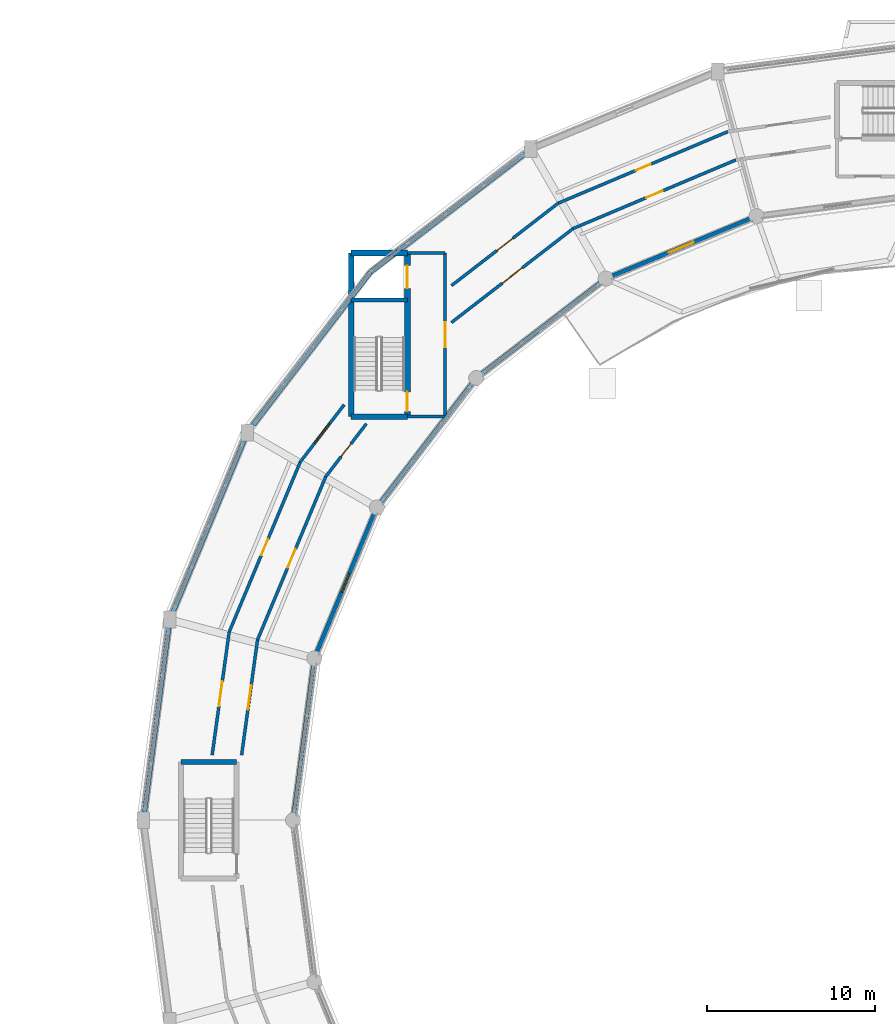
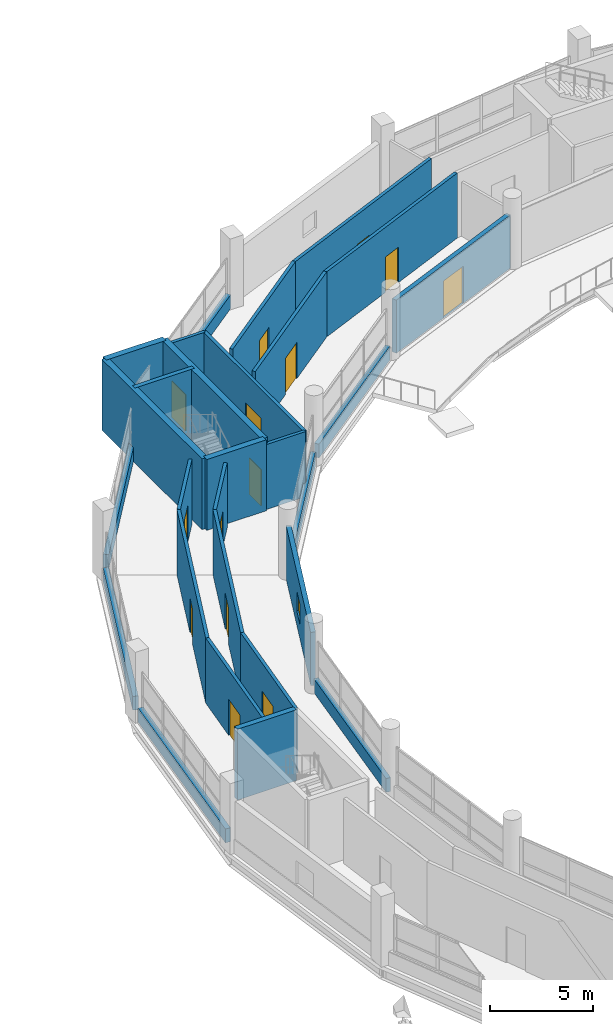
# One storey, part 111 of 128: 28 walls, 14 doors, 1 window, 15 openings.
"""IFC4 building model written with IfcOpenShell, lengths in metres."""

from ifc_helpers import new_model, si_unit, direction, frame, frame_2d, origin, place, context, subcontext, project, spatial, rectangle, extrude, material, layer, layer_set, type_object, element, fill, save


model = new_model("IFC4")

# Units and contexts
model_context = context("Model", 3, precision=1e-05, world=origin(), true_north=direction((0.0, 1.0)))
body_context = subcontext(model_context, "Body", "Model", "MODEL_VIEW")
ifc_project = project(units=[si_unit("LENGTHUNIT", "METRE"), si_unit("AREAUNIT", "SQUARE_METRE"), si_unit("VOLUMEUNIT", "CUBIC_METRE"), si_unit("PLANEANGLEUNIT", "RADIAN"), si_unit("MASSUNIT", "GRAM", prefix="KILO")], contexts=[model_context])

# Site, building, storey
site_placement = place(None, origin())
site = spatial("IfcSite", under=ifc_project, at=site_placement, CompositionType="ELEMENT")
building_placement = place(site_placement, origin())
building = spatial("IfcBuilding", under=site, at=building_placement, Name="Vespera Passage Community Centre", CompositionType="ELEMENT")
storey_placement = place(building_placement, frame((0.0, 0.0, 4.5)))
storey = spatial("IfcBuildingStorey", under=building, at=storey_placement, Name="L01", CompositionType="ELEMENT", Elevation=4.5)

# Wall
ifc_material_1 = material(Name="Concrete f'c 45 MPa", Category="concrete")
ifc_layer_1 = layer(ifc_material_1, 0.300048828125)
ifc_layer_set_1 = layer_set([ifc_layer_1], Name="Concrete f'c 45 MPa")
wall_type_1 = type_object("IfcWallType", Name="WT-CORE-300I", PredefinedType="SHEAR", material=ifc_layer_set_1)
wall_1_placement = place(storey_placement, frame((34.14990234375, 68.97509765625, 0.0), z_axis=(0.0, 0.0, 1.0), x_axis=(1.0, 0.0, 0.0)))
element("IfcWall", 1, at=wall_1_placement, inside=storey, type_object=wall_type_1, Name="Core C2 L01 Shear Wall RIGHT", PredefinedType="SHEAR", context=body_context, shape_type="SweptSolid", body=[
    extrude(rectangle(XDim=3.300048828125, YDim=0.300048828125, at=frame_2d((1.64990234375, 0.0))), origin(), (0.0, 0.0, 1.0), 4.199951171875),
])

# Wall, openings, doors
ifc_material_2 = material(Name="Concrete f'c 45 MPa", Category="concrete")
ifc_layer_2 = layer(ifc_material_2, 0.340087890625)
ifc_layer_set_2 = layer_set([ifc_layer_2], Name="Concrete f'c 45 MPa")
wall_type_2 = type_object("IfcWallType", Name="WT-CORE-340I", PredefinedType="SHEAR", material=ifc_layer_set_2)
wall_2_placement = place(storey_placement, frame((47.60302734375, 99.238037109375, 0.0), z_axis=(0.0, 0.0, 1.0), x_axis=(0.0, -1.0, 0.0)))
wall_2 = element("IfcWall", 2, at=wall_2_placement, inside=storey, type_object=wall_type_2, Name="Core C1 L01 Shear Wall FRONT", PredefinedType="SHEAR", context=body_context, shape_type="SweptSolid", body=[
    extrude(rectangle(XDim=9.72998046875, YDim=0.340087890625, at=frame_2d((4.864990234375, 0.0))), origin(), (0.0, 0.0, 1.0), 4.199951171875),
])
opening_1_placement = place(wall_2_placement, frame((8.264892578125, 0.0, 0.0)))
opening_1 = element("IfcOpeningElement", 3, at=opening_1_placement, cuts=wall_2, Name="Opening DT-STAIR-90", PredefinedType="OPENING", context=body_context, shape_type="SweptSolid", body=[
    extrude(rectangle(XDim=1.14990234375, YDim=2.14990234375, at=frame_2d((0.574951171875, 1.074951171875))), frame((0.0, 0.179931640625, 0.0), z_axis=(0.0, -1.0, 0.0), x_axis=(1.0, 0.0, 0.0)), (0.0, 0.0, 1.0), 0.360107421875),
])
opening_2_placement = place(wall_2_placement, frame((0.7451171875, 0.0, 0.0)))
opening_2 = element("IfcOpeningElement", 4, at=opening_2_placement, cuts=wall_2, Name="Opening DT-LIFT-135", PredefinedType="OPENING", context=body_context, shape_type="SweptSolid", body=[
    extrude(rectangle(XDim=1.35009765625, YDim=2.14990234375, at=frame_2d((0.675048828125, 1.074951171875))), frame((0.0, 0.179931640625, 0.0), z_axis=(0.0, -1.0, 0.0), x_axis=(1.0, 0.0, 0.0)), (0.0, 0.0, 1.0), 0.360107421875),
])
ifc_material_3 = material(Name="Painted hollow-metal acoustic door", Category="steel")
door_type_1 = type_object("IfcDoorType", Name="DT-LIFT-135", OperationType="NOTDEFINED", PredefinedType="DOOR", material=ifc_material_3)
door_1_placement = place(opening_2_placement, origin())
door_1 = element("IfcDoor", 5, at=door_1_placement, inside=storey, type_object=door_type_1, Name="Elevator EL-03 L01 Landing Door LD-003", OperationType="SLIDING_TO_LEFT", OverallHeight=2.14990234375, OverallWidth=1.35009765625, PredefinedType="DOOR", context=body_context, shape_type="SweptSolid", body=[
    extrude(rectangle(XDim=1.35009765625, YDim=2.14990234375, at=frame_2d((0.675048828125, 1.074951171875))), frame((0.0, 0.02490234375, 0.0), z_axis=(0.0, -1.0, 0.0), x_axis=(1.0, 0.0, 0.0)), (0.0, 0.0, 1.0), 0.050048828125),
])
fill(opening_2, door_1)
ifc_material_4 = material(Name="Painted hollow-metal acoustic door", Category="steel")
door_type_2 = type_object("IfcDoorType", Name="DT-STAIR-90", OperationType="NOTDEFINED", PredefinedType="DOOR", material=ifc_material_4)
door_2_placement = place(opening_1_placement, origin())
door_2 = element("IfcDoor", 6, at=door_2_placement, inside=storey, type_object=door_type_2, Name="Core C1 L01 Exit Stair Door D-052", OperationType="SINGLE_SWING_RIGHT", OverallHeight=2.14990234375, OverallWidth=1.14990234375, PredefinedType="DOOR", context=body_context, shape_type="SweptSolid", body=[
    extrude(rectangle(XDim=1.14990234375, YDim=2.14990234375, at=frame_2d((0.574951171875, 1.074951171875))), frame((0.0, 0.02490234375, 0.0), z_axis=(0.0, -1.0, 0.0), x_axis=(1.0, 0.0, 0.0)), (0.0, 0.0, 1.0), 0.050048828125),
])
fill(opening_1, door_2)

# Walls
wall_3_placement = place(storey_placement, frame((47.60302734375, 89.508056640625, 0.0), z_axis=(0.0, 0.0, 1.0), x_axis=(-1.0, 0.0, 0.0)))
element("IfcWall", 7, at=wall_3_placement, inside=storey, type_object=wall_type_2, Name="Core C1 L01 Shear Wall LEFT", PredefinedType="SHEAR", context=body_context, shape_type="SweptSolid", body=[
    extrude(rectangle(XDim=3.340087890625, YDim=0.340087890625, at=frame_2d((1.669921875, 0.0))), origin(), (0.0, 0.0, 1.0), 4.199951171875),
])
wall_4_placement = place(storey_placement, frame((44.262939453125, 89.508056640625, 0.0), z_axis=(0.0, 0.0, 1.0), x_axis=(0.0, 1.0, 0.0)))
element("IfcWall", 8, at=wall_4_placement, inside=storey, type_object=wall_type_2, Name="Core C1 L01 Shear Wall BACK", PredefinedType="SHEAR", context=body_context, shape_type="SweptSolid", body=[
    extrude(rectangle(XDim=9.72998046875, YDim=0.340087890625, at=frame_2d((4.864990234375, 0.0))), origin(), (0.0, 0.0, 1.0), 4.199951171875),
])
wall_5_placement = place(storey_placement, frame((44.262939453125, 99.238037109375, 0.0), z_axis=(0.0, 0.0, 1.0), x_axis=(1.0, 0.0, 0.0)))
element("IfcWall", 9, at=wall_5_placement, inside=storey, type_object=wall_type_2, Name="Core C1 L01 Shear Wall RIGHT", PredefinedType="SHEAR", context=body_context, shape_type="SweptSolid", body=[
    extrude(rectangle(XDim=3.340087890625, YDim=0.340087890625, at=frame_2d((1.669921875, 0.0))), origin(), (0.0, 0.0, 1.0), 4.199951171875),
])

# Wall, opening, door
ifc_material_5 = material(Name="Gypsum board acoustic stud partition")
ifc_layer_3 = layer(ifc_material_5, 0.179931640625)
ifc_layer_set_3 = layer_set([ifc_layer_3], Name="Gypsum board acoustic stud partition")
wall_type_3 = type_object("IfcWallType", Name="WT-CORR-180I", PredefinedType="PARTITIONING", material=ifc_layer_set_3)
wall_6_placement = place(storey_placement, frame((49.85302734375, 89.508056640625, 0.0), z_axis=(0.0, 0.0, 1.0), x_axis=(0.0, 1.0, 0.0)))
wall_6 = element("IfcWall", 10, at=wall_6_placement, inside=storey, type_object=wall_type_3, Name="Core C1 L01 Lift Lobby Front Wall", PredefinedType="PARTITIONING", context=body_context, shape_type="SweptSolid", body=[
    extrude(rectangle(XDim=9.72998046875, YDim=0.179931640625, at=frame_2d((4.864990234375, 0.0))), origin(), (0.0, 0.0, 1.0), 3.85498046875),
])
opening_3_placement = place(wall_6_placement, frame((4.114990234375, 0.0, 0.0)))
opening_3 = element("IfcOpeningElement", 11, at=opening_3_placement, cuts=wall_6, Name="Opening DT-CORR-150", PredefinedType="OPENING", context=body_context, shape_type="SweptSolid", body=[
    extrude(rectangle(XDim=1.5, YDim=2.14990234375, at=frame_2d((0.75, 1.074951171875))), frame((0.0, 0.099853515625, 0.0), z_axis=(0.0, -1.0, 0.0), x_axis=(1.0, 0.0, 0.0)), (0.0, 0.0, 1.0), 0.199951171875),
])
ifc_material_6 = material(Name="Painted hollow-metal acoustic door", Category="steel")
door_type_3 = type_object("IfcDoorType", Name="DT-CORR-150", OperationType="NOTDEFINED", PredefinedType="DOOR", material=ifc_material_6)
door_3_placement = place(opening_3_placement, origin())
door_3 = element("IfcDoor", 12, at=door_3_placement, inside=storey, type_object=door_type_3, Name="Core C1 L01 Lift Lobby Door D-053", OperationType="SINGLE_SWING_LEFT", OverallHeight=2.14990234375, OverallWidth=1.5, PredefinedType="DOOR", context=body_context, shape_type="SweptSolid", body=[
    extrude(rectangle(XDim=1.5, YDim=2.14990234375, at=frame_2d((0.75, 1.074951171875))), frame((0.0, 0.02490234375, 0.0), z_axis=(0.0, -1.0, 0.0), x_axis=(1.0, 0.0, 0.0)), (0.0, 0.0, 1.0), 0.050048828125),
])
fill(opening_3, door_3)

# Walls
for number, where, z_axis, x_axis, name in (
    (13, (47.60302734375, 89.508056640625, 0.0), (0.0, 0.0, 1.0), (1.0, 0.0, 0.0), "Core C1 L01 Lift Lobby Side Wall L"),
    (14, (47.60302734375, 99.238037109375, 0.0), (0.0, 0.0, 1.0), (1.0, 0.0, 0.0), "Core C1 L01 Lift Lobby Side Wall R"),
):
    element("IfcWall", number, at=place(storey_placement, frame(where, z_axis=z_axis, x_axis=x_axis)), inside=storey, type_object=wall_type_3, Name=name, PredefinedType="PARTITIONING", context=body_context, shape_type="SweptSolid", body=[
        extrude(rectangle(XDim=2.25, YDim=0.179931640625, at=frame_2d((1.125, 0.0))), origin(), (0.0, 0.0, 1.0), 3.85498046875),
    ])

# Wall, opening, door
wall_7_placement = place(storey_placement, frame((66.6748046875, 106.46337890625, 0.0), z_axis=(0.0, 0.0, 1.0), x_axis=(-0.921432324462, -0.388538893082, 0.0)))
wall_7 = element("IfcWall", 15, at=wall_7_placement, inside=storey, type_object=wall_type_3, Name="L01 Interior Partition V4-L01-CO04.1", PredefinedType="PARTITIONING", context=body_context, shape_type="SweptSolid", body=[
    extrude(rectangle(XDim=10.9609375, YDim=0.179931640625, at=frame_2d((5.48046875, 0.0))), origin(), (0.0, 0.0, 1.0), 3.85498046875),
])
opening_4_placement = place(wall_7_placement, frame((5.005615234375, 0.0, 0.0)))
opening_4 = element("IfcOpeningElement", 16, at=opening_4_placement, cuts=wall_7, Name="Opening DT-CORR-95", PredefinedType="OPENING", context=body_context, shape_type="SweptSolid", body=[
    extrude(rectangle(XDim=0.949951171875, YDim=2.10009765625, at=frame_2d((0.47509765625, 1.050048828125))), frame((0.0, 0.099853515625, 0.0), z_axis=(0.0, -1.0, 0.0), x_axis=(1.0, 0.0, 0.0)), (0.0, 0.0, 1.0), 0.199951171875),
])
ifc_material_7 = material(Name="Painted hollow-metal acoustic door", Category="steel")
door_type_4 = type_object("IfcDoorType", Name="DT-CORR-95", OperationType="NOTDEFINED", PredefinedType="DOOR", material=ifc_material_7)
door_4_placement = place(opening_4_placement, origin())
door_4 = element("IfcDoor", 17, at=door_4_placement, inside=storey, type_object=door_type_4, Name="L01 Interior Door D-168", OperationType="SINGLE_SWING_RIGHT", OverallHeight=2.10009765625, OverallWidth=0.949951171875, PredefinedType="DOOR", context=body_context, shape_type="SweptSolid", body=[
    extrude(rectangle(XDim=0.949951171875, YDim=2.10009765625, at=frame_2d((0.47509765625, 1.050048828125))), frame((0.0, 0.02490234375, 0.0), z_axis=(0.0, -1.0, 0.0), x_axis=(1.0, 0.0, 0.0)), (0.0, 0.0, 1.0), 0.050048828125),
])
fill(opening_4, door_4)

wall_8_placement = place(storey_placement, frame((67.14111328125, 104.776611328125, 0.0), z_axis=(0.0, 0.0, 1.0), x_axis=(-0.921427975161, -0.388549207426, 0.0)))
wall_8 = element("IfcWall", 18, at=wall_8_placement, inside=storey, type_object=wall_type_3, Name="L01 Interior Partition V4-L01-CI04.1", PredefinedType="PARTITIONING", context=body_context, shape_type="SweptSolid", body=[
    extrude(rectangle(XDim=10.509521484375, YDim=0.179931640625, at=frame_2d((5.2548828125, 0.0))), origin(), (0.0, 0.0, 1.0), 3.85498046875),
])
opening_5_placement = place(wall_8_placement, frame((4.72998046875, 0.0, 0.0)))
opening_5 = element("IfcOpeningElement", 19, at=opening_5_placement, cuts=wall_8, Name="Opening DT-CORR-105", PredefinedType="OPENING", context=body_context, shape_type="SweptSolid", body=[
    extrude(rectangle(XDim=1.050048828125, YDim=2.10009765625, at=frame_2d((0.52490234375, 1.050048828125))), frame((0.0, 0.099853515625, 0.0), z_axis=(0.0, -1.0, 0.0), x_axis=(1.0, 0.0, 0.0)), (0.0, 0.0, 1.0), 0.199951171875),
])
ifc_material_8 = material(Name="Painted hollow-metal acoustic door", Category="steel")
door_type_5 = type_object("IfcDoorType", Name="DT-CORR-105", OperationType="NOTDEFINED", PredefinedType="DOOR", material=ifc_material_8)
door_5_placement = place(opening_5_placement, origin())
door_5 = element("IfcDoor", 20, at=door_5_placement, inside=storey, type_object=door_type_5, Name="L01 Interior Door D-169", OperationType="SINGLE_SWING_LEFT", OverallHeight=2.10009765625, OverallWidth=1.050048828125, PredefinedType="DOOR", context=body_context, shape_type="SweptSolid", body=[
    extrude(rectangle(XDim=1.050048828125, YDim=2.10009765625, at=frame_2d((0.52490234375, 1.050048828125))), frame((0.0, 0.02490234375, 0.0), z_axis=(0.0, -1.0, 0.0), x_axis=(1.0, 0.0, 0.0)), (0.0, 0.0, 1.0), 0.050048828125),
])
fill(opening_5, door_5)

wall_9_placement = place(storey_placement, frame((56.574951171875, 102.20458984375, 0.0), z_axis=(0.0, 0.0, 1.0), x_axis=(-0.791414761664, -0.61127953918, 0.0)))
wall_9 = element("IfcWall", 21, at=wall_9_placement, inside=storey, type_object=wall_type_3, Name="L01 Interior Partition V4-L01-CO05.1", PredefinedType="PARTITIONING", context=body_context, shape_type="SweptSolid", body=[
    extrude(rectangle(XDim=8.026123046875, YDim=0.179931640625, at=frame_2d((4.01318359375, 0.0))), origin(), (0.0, 0.0, 1.0), 3.85498046875),
])
opening_6_placement = place(wall_9_placement, frame((3.4130859375, 0.0, 0.0)))
opening_6 = element("IfcOpeningElement", 22, at=opening_6_placement, cuts=wall_9, Name="Opening DT-CORR-120", PredefinedType="OPENING", context=body_context, shape_type="SweptSolid", body=[
    extrude(rectangle(XDim=1.199951171875, YDim=2.14990234375, at=frame_2d((0.60009765625, 1.074951171875))), frame((0.0, 0.099853515625, 0.0), z_axis=(0.0, -1.0, 0.0), x_axis=(1.0, 0.0, 0.0)), (0.0, 0.0, 1.0), 0.199951171875),
])
ifc_material_9 = material(Name="Painted hollow-metal acoustic door", Category="steel")
door_type_6 = type_object("IfcDoorType", Name="DT-CORR-120", OperationType="NOTDEFINED", PredefinedType="DOOR", material=ifc_material_9)
door_6_placement = place(opening_6_placement, origin())
door_6 = element("IfcDoor", 23, at=door_6_placement, inside=storey, type_object=door_type_6, Name="L01 Interior Door D-170", OperationType="SINGLE_SWING_RIGHT", OverallHeight=2.14990234375, OverallWidth=1.199951171875, PredefinedType="DOOR", context=body_context, shape_type="SweptSolid", body=[
    extrude(rectangle(XDim=1.199951171875, YDim=2.14990234375, at=frame_2d((0.60009765625, 1.074951171875))), frame((0.0, 0.02490234375, 0.0), z_axis=(0.0, -1.0, 0.0), x_axis=(1.0, 0.0, 0.0)), (0.0, 0.0, 1.0), 0.050048828125),
])
fill(opening_6, door_6)

wall_10_placement = place(storey_placement, frame((57.457275390625, 100.693115234375, 0.0), z_axis=(0.0, 0.0, 1.0), x_axis=(-0.79142007835, -0.611272655683, 0.0)))
wall_10 = element("IfcWall", 24, at=wall_10_placement, inside=storey, type_object=wall_type_3, Name="L01 Interior Partition V4-L01-CI05.1", PredefinedType="PARTITIONING", context=body_context, shape_type="SweptSolid", body=[
    extrude(rectangle(XDim=9.14111328125, YDim=0.179931640625, at=frame_2d((4.570556640625, 0.0))), origin(), (0.0, 0.0, 1.0), 3.85498046875),
])
opening_7_placement = place(wall_10_placement, frame((3.8203125, 0.0, 0.0)))
opening_7 = element("IfcOpeningElement", 25, at=opening_7_placement, cuts=wall_10, Name="Opening DT-CORR-150", PredefinedType="OPENING", context=body_context, shape_type="SweptSolid", body=[
    extrude(rectangle(XDim=1.5, YDim=2.14990234375, at=frame_2d((0.75, 1.074951171875))), frame((0.0, 0.099853515625, 0.0), z_axis=(0.0, -1.0, 0.0), x_axis=(1.0, 0.0, 0.0)), (0.0, 0.0, 1.0), 0.199951171875),
])
door_7_placement = place(opening_7_placement, origin())
door_7 = element("IfcDoor", 26, at=door_7_placement, inside=storey, type_object=door_type_3, Name="L01 Interior Door D-171", OperationType="SINGLE_SWING_LEFT", OverallHeight=2.14990234375, OverallWidth=1.5, PredefinedType="DOOR", context=body_context, shape_type="SweptSolid", body=[
    extrude(rectangle(XDim=1.5, YDim=2.14990234375, at=frame_2d((0.75, 1.074951171875))), frame((0.0, 0.02490234375, 0.0), z_axis=(0.0, -1.0, 0.0), x_axis=(1.0, 0.0, 0.0)), (0.0, 0.0, 1.0), 0.050048828125),
])
fill(opening_7, door_7)

wall_11_placement = place(storey_placement, frame((43.843017578125, 90.216796875, 0.0), z_axis=(0.0, 0.0, 1.0), x_axis=(-0.608738105254, -0.793371236693, 0.0)))
wall_11 = element("IfcWall", 27, at=wall_11_placement, inside=storey, type_object=wall_type_3, Name="L01 Interior Partition V4-L01-CO06.1", PredefinedType="PARTITIONING", context=body_context, shape_type="SweptSolid", body=[
    extrude(rectangle(XDim=4.296142578125, YDim=0.179931640625, at=frame_2d((2.14794921875, 0.0))), origin(), (0.0, 0.0, 1.0), 3.85498046875),
])
opening_8_placement = place(wall_11_placement, frame((1.423095703125, 0.0, 0.0)))
opening_8 = element("IfcOpeningElement", 28, at=opening_8_placement, cuts=wall_11, Name="Opening DT-PLANT-145", PredefinedType="OPENING", context=body_context, shape_type="SweptSolid", body=[
    extrude(rectangle(XDim=1.449951171875, YDim=2.199951171875, at=frame_2d((0.72509765625, 1.10009765625))), frame((0.0, 0.099853515625, 0.0), z_axis=(0.0, -1.0, 0.0), x_axis=(1.0, 0.0, 0.0)), (0.0, 0.0, 1.0), 0.199951171875),
])
ifc_material_10 = material(Name="Painted hollow-metal acoustic door", Category="steel")
door_type_7 = type_object("IfcDoorType", Name="DT-PLANT-145", OperationType="NOTDEFINED", PredefinedType="DOOR", material=ifc_material_10)
door_8_placement = place(opening_8_placement, origin())
door_8 = element("IfcDoor", 29, at=door_8_placement, inside=storey, type_object=door_type_7, Name="L01 Interior Door D-172", OperationType="SINGLE_SWING_RIGHT", OverallHeight=2.199951171875, OverallWidth=1.449951171875, PredefinedType="DOOR", context=body_context, shape_type="SweptSolid", body=[
    extrude(rectangle(XDim=1.449951171875, YDim=2.199951171875, at=frame_2d((0.72509765625, 1.10009765625))), frame((0.0, 0.02490234375, 0.0), z_axis=(0.0, -1.0, 0.0), x_axis=(1.0, 0.0, 0.0)), (0.0, 0.0, 1.0), 0.050048828125),
])
fill(opening_8, door_8)

wall_12_placement = place(storey_placement, frame((45.164306640625, 89.087890625, 0.0), z_axis=(0.0, 0.0, 1.0), x_axis=(-0.608788255247, -0.793332755074, 0.0)))
wall_12 = element("IfcWall", 30, at=wall_12_placement, inside=storey, type_object=wall_type_3, Name="L01 Interior Partition V4-L01-CI06.1", PredefinedType="PARTITIONING", context=body_context, shape_type="SweptSolid", body=[
    extrude(rectangle(XDim=3.9794921875, YDim=0.179931640625, at=frame_2d((1.98974609375, 0.0))), origin(), (0.0, 0.0, 1.0), 3.85498046875),
])
opening_9_placement = place(wall_12_placement, frame((1.5146484375, 0.0, 0.0)))
opening_9 = element("IfcOpeningElement", 31, at=opening_9_placement, cuts=wall_12, Name="Opening DT-CORR-95", PredefinedType="OPENING", context=body_context, shape_type="SweptSolid", body=[
    extrude(rectangle(XDim=0.949951171875, YDim=2.10009765625, at=frame_2d((0.47509765625, 1.050048828125))), frame((0.0, 0.099853515625, 0.0), z_axis=(0.0, -1.0, 0.0), x_axis=(1.0, 0.0, 0.0)), (0.0, 0.0, 1.0), 0.199951171875),
])
door_9_placement = place(opening_9_placement, origin())
door_9 = element("IfcDoor", 32, at=door_9_placement, inside=storey, type_object=door_type_4, Name="L01 Interior Door D-173", OperationType="SINGLE_SWING_LEFT", OverallHeight=2.10009765625, OverallWidth=0.949951171875, PredefinedType="DOOR", context=body_context, shape_type="SweptSolid", body=[
    extrude(rectangle(XDim=0.949951171875, YDim=2.10009765625, at=frame_2d((0.47509765625, 1.050048828125))), frame((0.0, 0.02490234375, 0.0), z_axis=(0.0, -1.0, 0.0), x_axis=(1.0, 0.0, 0.0)), (0.0, 0.0, 1.0), 0.050048828125),
])
fill(opening_9, door_9)

wall_13_placement = place(storey_placement, frame((41.227783203125, 86.808349609375, 0.0), z_axis=(0.0, 0.0, 1.0), x_axis=(-0.385621022036, -0.922657264299, 0.0)))
wall_13 = element("IfcWall", 33, at=wall_13_placement, inside=storey, type_object=wall_type_3, Name="L01 Interior Partition V4-L01-CO07.1", PredefinedType="PARTITIONING", context=body_context, shape_type="SweptSolid", body=[
    extrude(rectangle(XDim=10.9609375, YDim=0.179931640625, at=frame_2d((5.48046875, 0.0))), origin(), (0.0, 0.0, 1.0), 3.85498046875),
])
opening_10_placement = place(wall_13_placement, frame((4.95556640625, 0.0, 0.0)))
opening_10 = element("IfcOpeningElement", 34, at=opening_10_placement, cuts=wall_13, Name="Opening DT-CORR-105", PredefinedType="OPENING", context=body_context, shape_type="SweptSolid", body=[
    extrude(rectangle(XDim=1.050048828125, YDim=2.10009765625, at=frame_2d((0.52490234375, 1.050048828125))), frame((0.0, 0.099853515625, 0.0), z_axis=(0.0, -1.0, 0.0), x_axis=(1.0, 0.0, 0.0)), (0.0, 0.0, 1.0), 0.199951171875),
])
door_10_placement = place(opening_10_placement, origin())
door_10 = element("IfcDoor", 35, at=door_10_placement, inside=storey, type_object=door_type_5, Name="L01 Interior Door D-174", OperationType="SINGLE_SWING_RIGHT", OverallHeight=2.10009765625, OverallWidth=1.050048828125, PredefinedType="DOOR", context=body_context, shape_type="SweptSolid", body=[
    extrude(rectangle(XDim=1.050048828125, YDim=2.10009765625, at=frame_2d((0.52490234375, 1.050048828125))), frame((0.0, 0.02490234375, 0.0), z_axis=(0.0, -1.0, 0.0), x_axis=(1.0, 0.0, 0.0)), (0.0, 0.0, 1.0), 0.050048828125),
])
fill(opening_10, door_10)

wall_14_placement = place(storey_placement, frame((42.74169921875, 85.930908203125, 0.0), z_axis=(0.0, 0.0, 1.0), x_axis=(-0.385601563936, -0.922665396495, 0.0)))
wall_14 = element("IfcWall", 36, at=wall_14_placement, inside=storey, type_object=wall_type_3, Name="L01 Interior Partition V4-L01-CI07.1", PredefinedType="PARTITIONING", context=body_context, shape_type="SweptSolid", body=[
    extrude(rectangle(XDim=10.509521484375, YDim=0.179931640625, at=frame_2d((5.2548828125, 0.0))), origin(), (0.0, 0.0, 1.0), 3.85498046875),
])
opening_11_placement = place(wall_14_placement, frame((4.65478515625, 0.0, 0.0)))
opening_11 = element("IfcOpeningElement", 37, at=opening_11_placement, cuts=wall_14, Name="Opening DT-CORR-120", PredefinedType="OPENING", context=body_context, shape_type="SweptSolid", body=[
    extrude(rectangle(XDim=1.199951171875, YDim=2.14990234375, at=frame_2d((0.60009765625, 1.074951171875))), frame((0.0, 0.099853515625, 0.0), z_axis=(0.0, -1.0, 0.0), x_axis=(1.0, 0.0, 0.0)), (0.0, 0.0, 1.0), 0.199951171875),
])
door_11_placement = place(opening_11_placement, origin())
door_11 = element("IfcDoor", 38, at=door_11_placement, inside=storey, type_object=door_type_6, Name="L01 Interior Door D-175", OperationType="SINGLE_SWING_LEFT", OverallHeight=2.14990234375, OverallWidth=1.199951171875, PredefinedType="DOOR", context=body_context, shape_type="SweptSolid", body=[
    extrude(rectangle(XDim=1.199951171875, YDim=2.14990234375, at=frame_2d((0.60009765625, 1.074951171875))), frame((0.0, 0.02490234375, 0.0), z_axis=(0.0, -1.0, 0.0), x_axis=(1.0, 0.0, 0.0)), (0.0, 0.0, 1.0), 0.050048828125),
])
fill(opening_11, door_11)

wall_15_placement = place(storey_placement, frame((37.0009765625, 76.695068359375, 0.0), z_axis=(0.0, 0.0, 1.0), x_axis=(-0.136812919882, -0.990596903363, 0.0)))
wall_15 = element("IfcWall", 39, at=wall_15_placement, inside=storey, type_object=wall_type_3, Name="L01 Interior Partition V4-L01-CO08.1", PredefinedType="PARTITIONING", context=body_context, shape_type="SweptSolid", body=[
    extrude(rectangle(XDim=7.3896484375, YDim=0.179931640625, at=frame_2d((3.69482421875, 0.0))), origin(), (0.0, 0.0, 1.0), 3.85498046875),
])
opening_12_placement = place(wall_15_placement, frame((2.94482421875, 0.0, 0.0)))
opening_12 = element("IfcOpeningElement", 40, at=opening_12_placement, cuts=wall_15, Name="Opening DT-CORR-150", PredefinedType="OPENING", context=body_context, shape_type="SweptSolid", body=[
    extrude(rectangle(XDim=1.5, YDim=2.14990234375, at=frame_2d((0.75, 1.074951171875))), frame((0.0, 0.099853515625, 0.0), z_axis=(0.0, -1.0, 0.0), x_axis=(1.0, 0.0, 0.0)), (0.0, 0.0, 1.0), 0.199951171875),
])
door_12_placement = place(opening_12_placement, origin())
door_12 = element("IfcDoor", 41, at=door_12_placement, inside=storey, type_object=door_type_3, Name="L01 Interior Door D-176", OperationType="SINGLE_SWING_RIGHT", OverallHeight=2.14990234375, OverallWidth=1.5, PredefinedType="DOOR", context=body_context, shape_type="SweptSolid", body=[
    extrude(rectangle(XDim=1.5, YDim=2.14990234375, at=frame_2d((0.75, 1.074951171875))), frame((0.0, 0.02490234375, 0.0), z_axis=(0.0, -1.0, 0.0), x_axis=(1.0, 0.0, 0.0)), (0.0, 0.0, 1.0), 0.050048828125),
])
fill(opening_12, door_12)

wall_16_placement = place(storey_placement, frame((38.689208984375, 76.234130859375, 0.0), z_axis=(0.0, 0.0, 1.0), x_axis=(-0.136839031307, -0.990593296722, 0.0)))
wall_16 = element("IfcWall", 42, at=wall_16_placement, inside=storey, type_object=wall_type_3, Name="L01 Interior Partition V4-L01-CI08.1", PredefinedType="PARTITIONING", context=body_context, shape_type="SweptSolid", body=[
    extrude(rectangle(XDim=6.92431640625, YDim=0.179931640625, at=frame_2d((3.462158203125, 0.0))), origin(), (0.0, 0.0, 1.0), 3.85498046875),
])
opening_13_placement = place(wall_16_placement, frame((2.737060546875, 0.0, 0.0)))
opening_13 = element("IfcOpeningElement", 43, at=opening_13_placement, cuts=wall_16, Name="Opening DT-PLANT-145", PredefinedType="OPENING", context=body_context, shape_type="SweptSolid", body=[
    extrude(rectangle(XDim=1.449951171875, YDim=2.199951171875, at=frame_2d((0.72509765625, 1.10009765625))), frame((0.0, 0.099853515625, 0.0), z_axis=(0.0, -1.0, 0.0), x_axis=(1.0, 0.0, 0.0)), (0.0, 0.0, 1.0), 0.199951171875),
])
door_13_placement = place(opening_13_placement, origin())
door_13 = element("IfcDoor", 44, at=door_13_placement, inside=storey, type_object=door_type_7, Name="L01 Interior Door D-177", OperationType="SINGLE_SWING_LEFT", OverallHeight=2.199951171875, OverallWidth=1.449951171875, PredefinedType="DOOR", context=body_context, shape_type="SweptSolid", body=[
    extrude(rectangle(XDim=1.449951171875, YDim=2.199951171875, at=frame_2d((0.72509765625, 1.10009765625))), frame((0.0, 0.02490234375, 0.0), z_axis=(0.0, -1.0, 0.0), x_axis=(1.0, 0.0, 0.0)), (0.0, 0.0, 1.0), 0.050048828125),
])
fill(opening_13, door_13)

# Wall
ifc_material_11 = material(Name="Concrete f'c 45 MPa", Category="concrete")
ifc_layer_4 = layer(ifc_material_11, 0.239990234375)
ifc_layer_set_4 = layer_set([ifc_layer_4], Name="Concrete f'c 45 MPa")
wall_type_4 = type_object("IfcWallType", Name="WT-DIV-240I", PredefinedType="SHEAR", material=ifc_layer_set_4)
wall_17_placement = place(storey_placement, frame((47.60302734375, 96.447998046875, 0.0), z_axis=(0.0, 0.0, 1.0), x_axis=(-1.0, 0.0, 0.0)))
element("IfcWall", 45, at=wall_17_placement, inside=storey, type_object=wall_type_4, Name="Core C1 L01 Hoistway Divider Wall", PredefinedType="SHEAR", context=body_context, shape_type="SweptSolid", body=[
    extrude(rectangle(XDim=3.340087890625, YDim=0.239990234375, at=frame_2d((1.669921875, 0.0))), origin(), (0.0, 0.0, 1.0), 4.199951171875),
])

# Wall, opening, door
ifc_material_12 = material(Name="Precast concrete f'c 40 MPa", Category="concrete")
ifc_layer_5 = layer(ifc_material_12, 0.25)
ifc_layer_set_5 = layer_set([ifc_layer_5], Name="Precast concrete f'c 40 MPa")
wall_type_5 = type_object("IfcWallType", Name="WT-EXT-250E", PredefinedType="STANDARD", material=ifc_layer_set_5)
wall_18_placement = place(storey_placement, frame((68.094970703125, 101.317626953125, 0.0), z_axis=(0.0, 0.0, 1.0), x_axis=(-0.923880324771, -0.382681519675, 0.0)))
wall_18 = element("IfcWall", 46, at=wall_18_placement, inside=storey, type_object=wall_type_5, Name="V4 L01 Inner Court Precast Wall 7", PredefinedType="STANDARD", context=body_context, shape_type="SweptSolid", body=[
    extrude(rectangle(XDim=9.111572265625, YDim=0.25, at=frame_2d((4.5556640625, 0.0))), origin(), (0.0, 0.0, 1.0), 3.1494140625),
])
opening_14_placement = place(wall_18_placement, frame((3.755859375, 0.0, 0.0)))
opening_14 = element("IfcOpeningElement", 47, at=opening_14_placement, cuts=wall_18, Name="Opening DT-E04", PredefinedType="OPENING", context=body_context, shape_type="SweptSolid", body=[
    extrude(rectangle(XDim=1.60009765625, YDim=2.199951171875, at=frame_2d((0.800048828125, 1.10009765625))), frame((0.0, 0.135009765625, 0.0), z_axis=(0.0, -1.0, 0.0), x_axis=(1.0, 0.0, 0.0)), (0.0, 0.0, 1.0), 0.27001953125),
])
ifc_material_13 = material(Name="Anodized aluminium 6063-T6", Category="aluminium")
door_type_8 = type_object("IfcDoorType", Name="DT-E04", OperationType="NOTDEFINED", PredefinedType="DOOR", material=ifc_material_13)
door_14_placement = place(opening_14_placement, origin())
door_14 = element("IfcDoor", 48, at=door_14_placement, inside=storey, type_object=door_type_8, Name="Courtyard Gallery Terrace Access Door 7", OperationType="SINGLE_SWING_RIGHT", OverallHeight=2.199951171875, OverallWidth=1.60009765625, PredefinedType="DOOR", context=body_context, shape_type="SweptSolid", body=[
    extrude(rectangle(XDim=1.60009765625, YDim=2.199951171875, at=frame_2d((0.800048828125, 1.10009765625))), frame((0.0, 0.02490234375, 0.0), z_axis=(0.0, -1.0, 0.0), x_axis=(1.0, 0.0, 0.0)), (0.0, 0.0, 1.0), 0.050048828125),
])
fill(opening_14, door_14)

# Walls
for number, where, z_axis, x_axis, name in (
    (49, (59.119873046875, 97.501220703125, 0.0), (0.0, 0.0, 1.0), (-0.793347085527, -0.608769580289, 0.0), "V4 L01 Court Spandrel Wall I8"),
    (50, (51.480712890625, 91.524169921875, 0.0), (0.0, 0.0, 1.0), (-0.608769580289, -0.793347085527, 0.0), "V4 L01 Court Spandrel Wall I9"),
):
    element("IfcWall", number, at=place(storey_placement, frame(where, z_axis=z_axis, x_axis=x_axis)), inside=storey, type_object=wall_type_5, Name=name, PredefinedType="STANDARD", context=body_context, shape_type="SweptSolid", body=[
        extrude(rectangle(XDim=9.0048828125, YDim=0.25, at=frame_2d((4.50244140625, 0.0))), origin(), (0.0, 0.0, 1.0), 0.820068359375),
    ])

# Wall, opening, window
wall_19_placement = place(storey_placement, frame((45.669189453125, 83.822998046875, 0.0), z_axis=(0.0, 0.0, 1.0), x_axis=(-0.382681519675, -0.923880324771, 0.0)))
wall_19 = element("IfcWall", 51, at=wall_19_placement, inside=storey, type_object=wall_type_5, Name="V4 L01 Inner Court Precast Wall 10", PredefinedType="STANDARD", context=body_context, shape_type="SweptSolid", body=[
    extrude(rectangle(XDim=9.111572265625, YDim=0.25, at=frame_2d((4.5556640625, 0.0))), origin(), (0.0, 0.0, 1.0), 3.1494140625),
])
opening_15_placement = place(wall_19_placement, frame((3.955810546875, 0.0, 0.85009765625)))
opening_15 = element("IfcOpeningElement", 52, at=opening_15_placement, cuts=wall_19, Name="Opening WN-03E", PredefinedType="OPENING", context=body_context, shape_type="SweptSolid", body=[
    extrude(rectangle(XDim=1.199951171875, YDim=1.199951171875, at=frame_2d((0.60009765625, 0.60009765625))), frame((0.0, 0.135009765625, 0.0), z_axis=(0.0, -1.0, 0.0), x_axis=(1.0, 0.0, 0.0)), (0.0, 0.0, 1.0), 0.27001953125),
])
ifc_material_14 = material(Name="Low-E insulated vision glass", Category="glass")
window_type = type_object("IfcWindowType", Name="WN-03E", PartitioningType="SINGLE_PANEL", PredefinedType="WINDOW", material=ifc_material_14)
window_placement = place(opening_15_placement, origin())
window = element("IfcWindow", 53, at=window_placement, inside=storey, type_object=window_type, Name="Window WN-V4-L01-I10", OverallHeight=1.199951171875, OverallWidth=1.199951171875, PartitioningType="SINGLE_PANEL", PredefinedType="WINDOW", context=body_context, shape_type="SweptSolid", body=[
    extrude(rectangle(XDim=1.199951171875, YDim=1.199951171875, at=frame_2d((0.60009765625, 0.60009765625))), frame((0.0, 0.030029296875, 0.0), z_axis=(0.0, -1.0, 0.0), x_axis=(1.0, 0.0, 0.0)), (0.0, 0.0, 1.0), 0.06005859375),
])
fill(opening_15, window)

# Walls
wall_20_placement = place(storey_placement, frame((42.031494140625, 74.852783203125, 0.0), z_axis=(0.0, 0.0, 1.0), x_axis=(-0.130549698469, -0.991441766434, 0.0)))
element("IfcWall", 54, at=wall_20_placement, inside=storey, type_object=wall_type_5, Name="V4 L01 Court Spandrel Wall I11", PredefinedType="STANDARD", context=body_context, shape_type="SweptSolid", body=[
    extrude(rectangle(XDim=9.156005859375, YDim=0.25, at=frame_2d((4.578125, 0.0))), origin(), (0.0, 0.0, 1.0), 0.820068359375),
])
ifc_material_15 = material(Name="Precast concrete f'c 40 MPa", Category="concrete")
ifc_layer_6 = layer(ifc_material_15, 0.280029296875)
ifc_layer_set_6 = layer_set([ifc_layer_6], Name="Precast concrete f'c 40 MPa")
wall_type_6 = type_object("IfcWallType", Name="WT-EXT-280E", PredefinedType="STANDARD", material=ifc_layer_set_6)
wall_21_placement = place(storey_placement, frame((45.40234375, 98.09765625, 0.0), z_axis=(0.0, 0.0, 1.0), x_axis=(0.793347191248, 0.608769442514, 0.0)))
element("IfcWall", 55, at=wall_21_placement, inside=storey, type_object=wall_type_6, Name="V4 L01 Spandrel Wall O8", PredefinedType="STANDARD", context=body_context, shape_type="SweptSolid", body=[
    extrude(rectangle(XDim=11.5869140625, YDim=0.280029296875, at=frame_2d((5.79345703125, 0.0))), origin(), (0.0, 0.0, 1.0), 0.820068359375),
])
wall_22_placement = place(storey_placement, frame((38.43603515625, 89.018798828125, 0.0), z_axis=(0.0, 0.0, 1.0), x_axis=(0.608753523874, 0.793359406052, 0.0)))
element("IfcWall", 56, at=wall_22_placement, inside=storey, type_object=wall_type_6, Name="V4 L01 Spandrel Wall O9", PredefinedType="STANDARD", context=body_context, shape_type="SweptSolid", body=[
    extrude(rectangle(XDim=11.443603515625, YDim=0.280029296875, at=frame_2d((5.7216796875, 0.0))), origin(), (0.0, 0.0, 1.0), 0.820068359375),
])
wall_23_placement = place(storey_placement, frame((33.668212890625, 77.908447265625, 0.0), z_axis=(0.0, 0.0, 1.0), x_axis=(0.382695413149, 0.923874569817, 0.0)))
element("IfcWall", 57, at=wall_23_placement, inside=storey, type_object=wall_type_6, Name="V4 L01 Spandrel Wall O10", PredefinedType="STANDARD", context=body_context, shape_type="SweptSolid", body=[
    extrude(rectangle(XDim=11.002197265625, YDim=0.280029296875, at=frame_2d((5.5009765625, 0.0))), origin(), (0.0, 0.0, 1.0), 0.820068359375),
])
wall_24_placement = place(storey_placement, frame((31.962646484375, 65.97509765625, 0.0), z_axis=(0.0, 0.0, 1.0), x_axis=(0.130513242145, 0.991446566197, 0.0)))
element("IfcWall", 58, at=wall_24_placement, inside=storey, type_object=wall_type_6, Name="V4 L01 Spandrel Wall O11", PredefinedType="STANDARD", context=body_context, shape_type="SweptSolid", body=[
    extrude(rectangle(XDim=11.075927734375, YDim=0.280029296875, at=frame_2d((5.5380859375, 0.0))), origin(), (0.0, 0.0, 1.0), 0.820068359375),
])

save(model, "model.ifc")
